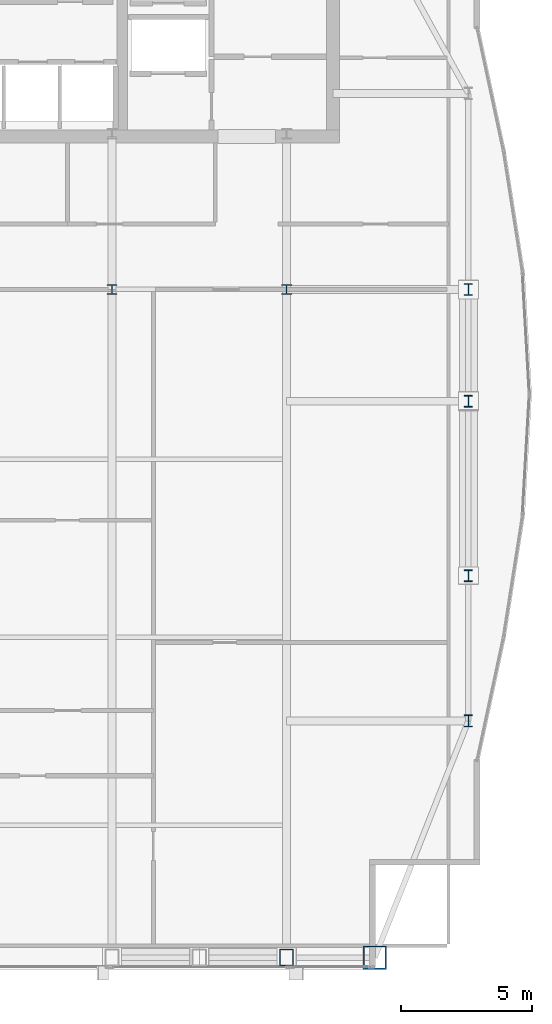
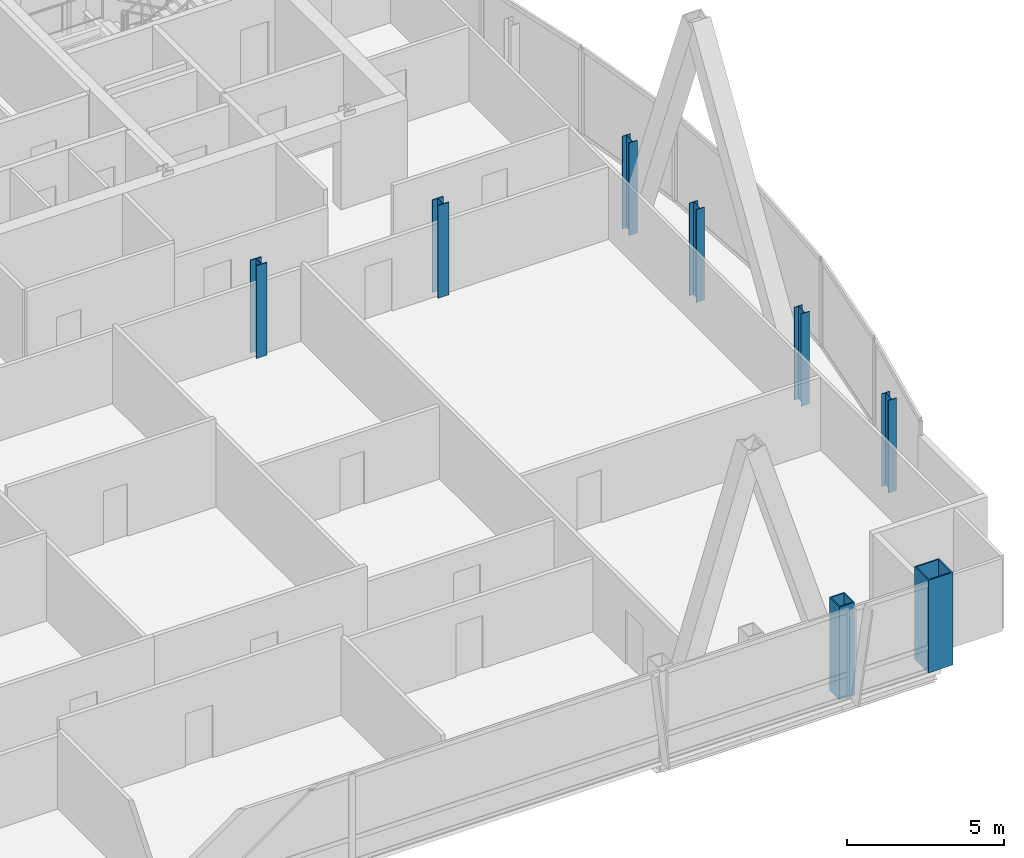
# One storey, part 2 of 29: 8 columns.
"""IFC4 building model written with IfcOpenShell, lengths in metres."""

from ifc_helpers import new_model, si_unit, direction, frame, origin, origin_2d, place, context, subcontext, project, spatial, hollow_rectangle, i_section, extrude, material, material_profile, profile_set, type_object, element, save


model = new_model("IFC4")

# Units and contexts
model_context = context("Model", 3, precision=1e-05, world=origin(), true_north=direction((0.0, 1.0)))
body_context = subcontext(model_context, "Body", "Model", "MODEL_VIEW")
ifc_project = project(units=[si_unit("LENGTHUNIT", "METRE"), si_unit("AREAUNIT", "SQUARE_METRE"), si_unit("VOLUMEUNIT", "CUBIC_METRE"), si_unit("PLANEANGLEUNIT", "RADIAN"), si_unit("MASSUNIT", "GRAM", prefix="KILO")], contexts=[model_context])

# Site, building, storey
site_placement = place(None, origin())
site = spatial("IfcSite", under=ifc_project, at=site_placement, CompositionType="ELEMENT")
building_placement = place(site_placement, origin())
building = spatial("IfcBuilding", under=site, at=building_placement, Name="Khoronbel Lancet Exchange", CompositionType="ELEMENT")
storey_placement = place(building_placement, frame((0.0, 0.0, 314.60009765625)))
storey = spatial("IfcBuildingStorey", under=building, at=storey_placement, Name="L81", CompositionType="ELEMENT", Elevation=314.60009765625)

# Columns
ifc_material_1 = material(Name="Steel S460", Category="steel")
ifc_material_profile_1 = material_profile(ifc_material_1, hollow_rectangle(XDim=0.550048828125, YDim=0.64990234375, WallThickness=0.0400390625, at=origin_2d()), Name="BOX 650x550x40")
ifc_profile_set_1 = profile_set([ifc_material_profile_1], Name="Steel S460")
column_type_1 = type_object("IfcColumnType", Name="COL-EC4", PredefinedType="COLUMN", material=ifc_profile_set_1)
column_1_placement = place(storey_placement, frame((54.675048828125, 10.14990234375, 0.0), z_axis=(0.0, 0.0, 1.0), x_axis=(1.0, 0.0, 0.0)))
element("IfcColumn", 1, at=column_1_placement, inside=storey, type_object=column_type_1, Name="Structural column SC-E2 L81", PredefinedType="COLUMN", context=body_context, shape_type="SweptSolid", body=[
    extrude(hollow_rectangle(XDim=0.550048828125, YDim=0.64990234375, WallThickness=0.0400390625, at=origin_2d()), origin(), (0.0, 0.0, 1.0), 3.599853515625),
])
ifc_material_2 = material(Name="Steel S355", Category="steel")
ifc_material_profile_2 = material_profile(ifc_material_2, i_section(OverallWidth=0.39892578125, OverallDepth=0.39306640625, WebThickness=0.022705078125, FlangeThickness=0.03662109375, at=origin_2d()), Name="HD 400x287")
ifc_profile_set_2 = profile_set([ifc_material_profile_2], Name="Steel S355")
column_type_2 = type_object("IfcColumnType", Name="COL-IC4", PredefinedType="COLUMN", material=ifc_profile_set_2)
for number, where, z_axis, x_axis, name in (
    (2, (48.0, 35.699951171875, 0.0), (0.0, 0.0, 1.0), (1.0, 0.0, 0.0), "Spine gravity column TC3 L81"),
    (3, (54.675048828125, 35.699951171875, 0.0), (0.0, 0.0, 1.0), (1.0, 0.0, 0.0), "Spine gravity column TC4 L81"),
):
    element("IfcColumn", number, at=place(storey_placement, frame(where, z_axis=z_axis, x_axis=x_axis)), inside=storey, type_object=column_type_2, Name=name, PredefinedType="COLUMN", context=body_context, shape_type="SweptSolid", body=[
        extrude(i_section(OverallWidth=0.39892578125, OverallDepth=0.39306640625, WebThickness=0.022705078125, FlangeThickness=0.03662109375, at=origin_2d()), origin(), (0.0, 0.0, 1.0), 3.599853515625),
    ])
ifc_material_profile_3 = material_profile(ifc_material_2, i_section(OverallWidth=0.300048828125, OverallDepth=0.449951171875, WebThickness=0.013916015625, FlangeThickness=0.02587890625, at=origin_2d()), Name="HEB 450")
ifc_profile_set_3 = profile_set([ifc_material_profile_3], Name="Steel S355")
column_type_3 = type_object("IfcColumnType", Name="COL-LC2", PredefinedType="COLUMN", material=ifc_profile_set_3)
for number, where, z_axis, x_axis, name in (
    (4, (61.6298828125, 19.199951171875, 0.0), (0.0, 0.0, 1.0), (1.0, 0.0, 0.0), "Structural column EC-1 L81"),
    (5, (61.6298828125, 24.75, 0.0), (0.0, 0.0, 1.0), (1.0, 0.0, 0.0), "Structural column EC-2 L81"),
    (6, (61.6298828125, 31.425048828125, 0.0), (0.0, 0.0, 1.0), (1.0, 0.0, 0.0), "Structural column EC-M L81"),
    (7, (61.6298828125, 35.699951171875, 0.0), (0.0, 0.0, 1.0), (1.0, 0.0, 0.0), "Structural column EC-3 L81"),
):
    element("IfcColumn", number, at=place(storey_placement, frame(where, z_axis=z_axis, x_axis=x_axis)), inside=storey, type_object=column_type_3, Name=name, PredefinedType="COLUMN", context=body_context, shape_type="SweptSolid", body=[
        extrude(i_section(OverallWidth=0.300048828125, OverallDepth=0.449951171875, WebThickness=0.013916015625, FlangeThickness=0.02587890625, at=origin_2d()), origin(), (0.0, 0.0, 1.0), 3.599853515625),
    ])
ifc_material_profile_4 = material_profile(ifc_material_1, hollow_rectangle(XDim=0.89990234375, YDim=0.89990234375, WallThickness=0.050048828125, at=origin_2d()), Name="BOX 900x900x50")
ifc_profile_set_4 = profile_set([ifc_material_profile_4], Name="Steel S460")
column_type_4 = type_object("IfcColumnType", Name="COL-MC7", PredefinedType="COLUMN", material=ifc_profile_set_4)
column_2_placement = place(storey_placement, frame((58.050048828125, 10.14990234375, 0.0), z_axis=(0.0, 0.0, 1.0), x_axis=(1.0, 0.0, 0.0)))
element("IfcColumn", 8, at=column_2_placement, inside=storey, type_object=column_type_4, Name="Structural column MC-SE L81", PredefinedType="COLUMN", context=body_context, shape_type="SweptSolid", body=[
    extrude(hollow_rectangle(XDim=0.89990234375, YDim=0.89990234375, WallThickness=0.050048828125, at=origin_2d()), origin(), (0.0, 0.0, 1.0), 3.599853515625),
])

save(model, "model.ifc")
